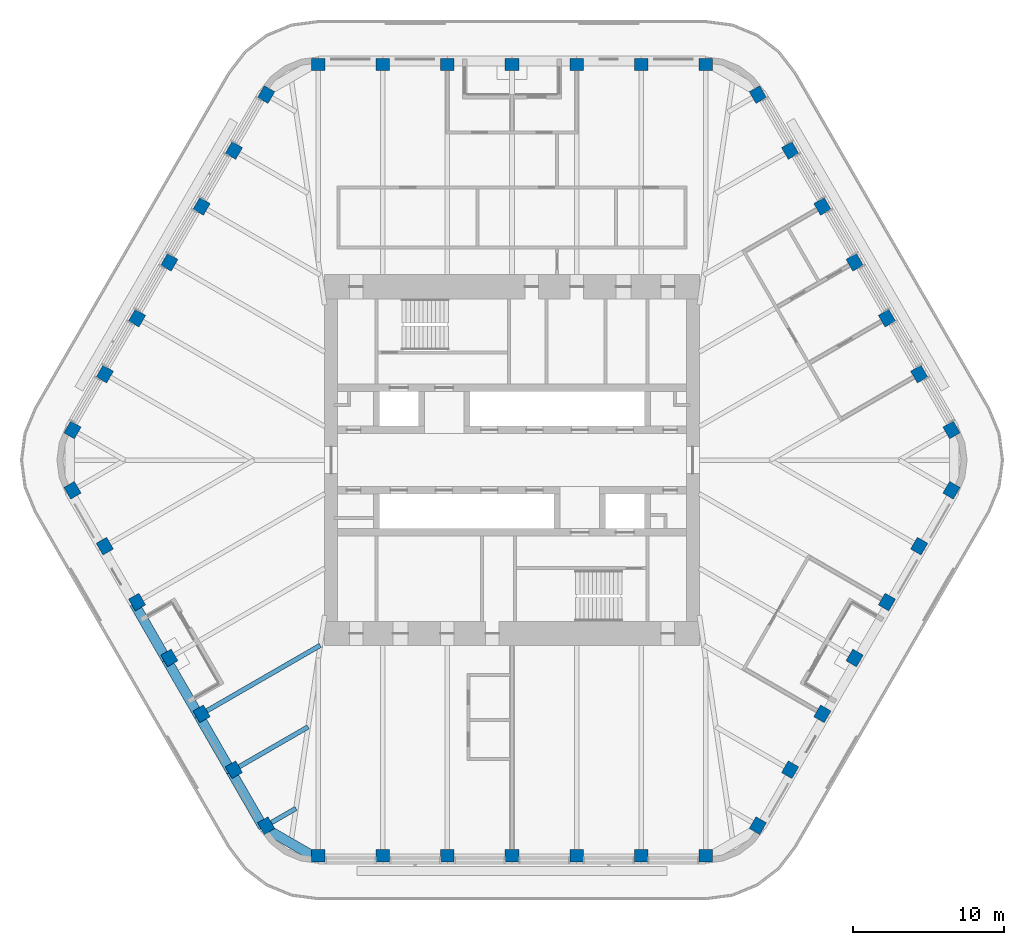
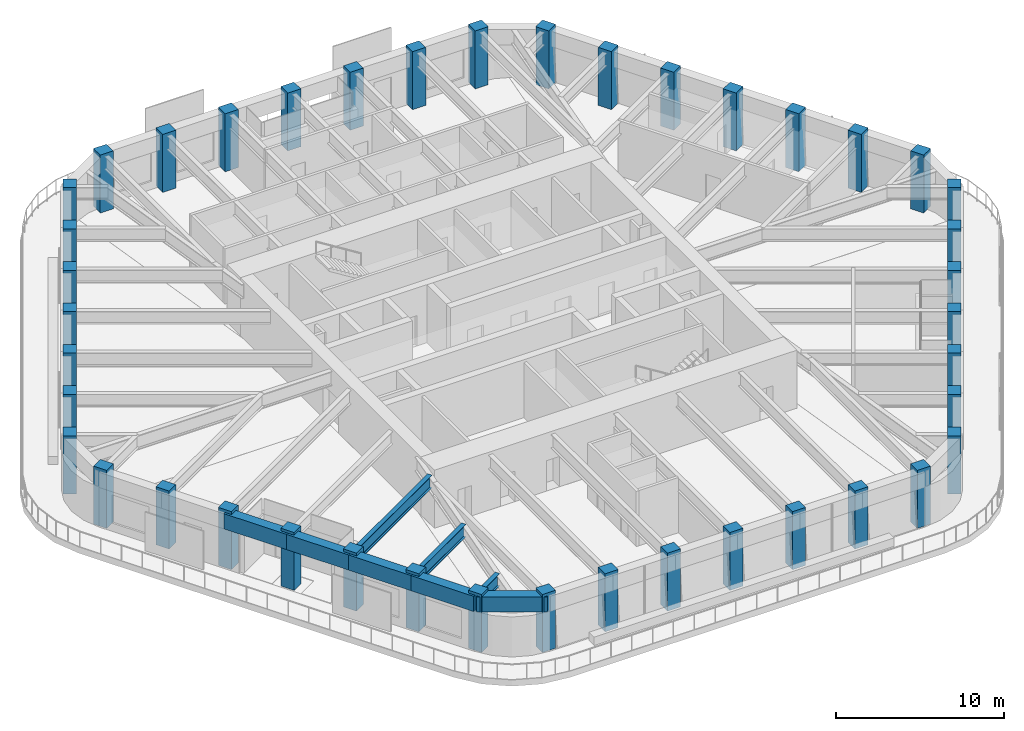
# One storey, part 1 of 19: 42 columns, 8 beams.
"""IFC4 building model written with IfcOpenShell, lengths in metres."""

from ifc_helpers import new_model, si_unit, direction, frame, origin, origin_2d, place, context, subcontext, project, spatial, rectangle, i_section, extrude, material, material_profile, profile_set, type_object, element, save


model = new_model("IFC4")

# Units and contexts
model_context = context("Model", 3, precision=1e-05, world=origin(), true_north=direction((0.0, 1.0)))
body_context = subcontext(model_context, "Body", "Model", "MODEL_VIEW")
ifc_project = project(units=[si_unit("LENGTHUNIT", "METRE"), si_unit("AREAUNIT", "SQUARE_METRE"), si_unit("VOLUMEUNIT", "CUBIC_METRE"), si_unit("PLANEANGLEUNIT", "RADIAN"), si_unit("MASSUNIT", "GRAM", prefix="KILO")], contexts=[model_context])

# Site, building, storey
site_placement = place(None, origin())
site = spatial("IfcSite", under=ifc_project, at=site_placement, CompositionType="ELEMENT")
building_placement = place(site_placement, origin())
building = spatial("IfcBuilding", under=site, at=building_placement, Name="Tarfa Lantern Tower", CompositionType="ELEMENT")
storey_placement = place(building_placement, frame((0.0, 0.0, 366.10009765625)))
storey = spatial("IfcBuildingStorey", under=building, at=storey_placement, Name="L83", CompositionType="ELEMENT", Elevation=366.10009765625)

# Columns
ifc_material_1 = material(Name="Concrete C80/95", Category="concrete")
ifc_material_profile_1 = material_profile(ifc_material_1, rectangle(XDim=0.89990234375, YDim=0.800048828125, at=origin_2d()), Name="RC 900x800")
ifc_profile_set_1 = profile_set([ifc_material_profile_1], Name="Concrete C80/95")
column_type = type_object("IfcColumnType", Name="TC15 RC 900x800", PredefinedType="COLUMN", material=ifc_profile_set_1)
for number, where, z_axis, x_axis, name in (
    (1, (29.15625, 2.0, 0.0), (0.0, 0.0, 1.0), (-0.5, 0.866025403784, 0.0), "Tube column NE0"),
    (2, (27.01513671875, 5.708251953125, 0.0), (0.0, 0.0, 1.0), (-0.5, 0.866025403784, 0.0), "Tube column NE1"),
    (3, (24.874267578125, 9.416748046875, 0.0), (0.0, 0.0, 1.0), (-0.5, 0.866025403784, 0.0), "Tube column NE2"),
    (4, (22.733154296875, 13.125, 0.0), (0.0, 0.0, 1.0), (-0.5, 0.866025403784, 0.0), "Tube column NE3"),
    (5, (20.592041015625, 16.833251953125, 0.0), (0.0, 0.0, 1.0), (-0.5, 0.866025403784, 0.0), "Tube column NE4"),
    (6, (18.451171875, 20.541748046875, 0.0), (0.0, 0.0, 1.0), (-0.5, 0.866025403784, 0.0), "Tube column NE5"),
    (7, (16.31005859375, 24.25, 0.0), (0.0, 0.0, 1.0), (-0.5, 0.866025403784, 0.0), "Tube column NE6"),
    (8, (12.845947265625, 26.25, 0.0), (0.0, 0.0, 1.0), (-1.0, 0.0, 0.0), "Tube column N0"),
    (9, (8.56396484375, 26.25, 0.0), (0.0, 0.0, 1.0), (-1.0, 0.0, 0.0), "Tube column N1"),
    (10, (4.281982421875, 26.25, 0.0), (0.0, 0.0, 1.0), (-1.0, 0.0, 0.0), "Tube column N2"),
    (11, (0.0, 26.25, 0.0), (0.0, 0.0, 1.0), (-1.0, 0.0, 0.0), "Tube column N3"),
    (12, (-4.281982421875, 26.25, 0.0), (0.0, 0.0, 1.0), (-1.0, 0.0, 0.0), "Tube column N4"),
    (13, (-8.56396484375, 26.25, 0.0), (0.0, 0.0, 1.0), (-1.0, 0.0, 0.0), "Tube column N5"),
    (14, (-12.845947265625, 26.25, 0.0), (0.0, 0.0, 1.0), (-1.0, 0.0, 0.0), "Tube column N6"),
    (15, (-16.31005859375, 24.25, 0.0), (0.0, 0.0, 1.0), (-0.5, -0.866025403784, 0.0), "Tube column NW0"),
    (16, (-18.451171875, 20.541748046875, 0.0), (0.0, 0.0, 1.0), (-0.5, -0.866025403784, 0.0), "Tube column NW1"),
    (17, (-20.592041015625, 16.833251953125, 0.0), (0.0, 0.0, 1.0), (-0.5, -0.866025403784, 0.0), "Tube column NW2"),
    (18, (-22.733154296875, 13.125, 0.0), (0.0, 0.0, 1.0), (-0.5, -0.866025403784, 0.0), "Tube column NW3"),
    (19, (-24.874267578125, 9.416748046875, 0.0), (0.0, 0.0, 1.0), (-0.5, -0.866025403784, 0.0), "Tube column NW4"),
    (20, (-27.01513671875, 5.708251953125, 0.0), (0.0, 0.0, 1.0), (-0.5, -0.866025403784, 0.0), "Tube column NW5"),
    (21, (-29.15625, 2.0, 0.0), (0.0, 0.0, 1.0), (-0.5, -0.866025403784, 0.0), "Tube column NW6"),
    (22, (-29.15625, -2.0, 0.0), (0.0, 0.0, 1.0), (0.5, -0.866025403784, 0.0), "Tube column SW0"),
    (23, (-27.01513671875, -5.708251953125, 0.0), (0.0, 0.0, 1.0), (0.5, -0.866025403784, 0.0), "Tube column SW1"),
    (24, (-24.874267578125, -9.416748046875, 0.0), (0.0, 0.0, 1.0), (0.5, -0.866025403784, 0.0), "Tube column SW2"),
    (25, (-22.733154296875, -13.125, 0.0), (0.0, 0.0, 1.0), (0.5, -0.866025403784, 0.0), "Tube column SW3"),
    (26, (-20.592041015625, -16.833251953125, 0.0), (0.0, 0.0, 1.0), (0.5, -0.866025403784, 0.0), "Tube column SW4"),
    (27, (-18.451171875, -20.541748046875, 0.0), (0.0, 0.0, 1.0), (0.5, -0.866025403784, 0.0), "Tube column SW5"),
    (28, (-16.31005859375, -24.25, 0.0), (0.0, 0.0, 1.0), (0.5, -0.866025403784, 0.0), "Tube column SW6"),
    (29, (-12.845947265625, -26.25, 0.0), (0.0, 0.0, 1.0), (1.0, 0.0, 0.0), "Tube column S0"),
    (30, (-8.56396484375, -26.25, 0.0), (0.0, 0.0, 1.0), (1.0, 0.0, 0.0), "Tube column S1"),
    (31, (-4.281982421875, -26.25, 0.0), (0.0, 0.0, 1.0), (1.0, 0.0, 0.0), "Tube column S2"),
    (32, (0.0, -26.25, 0.0), (0.0, 0.0, 1.0), (1.0, 0.0, 0.0), "Tube column S3"),
    (33, (4.281982421875, -26.25, 0.0), (0.0, 0.0, 1.0), (1.0, 0.0, 0.0), "Tube column S4"),
    (34, (8.56396484375, -26.25, 0.0), (0.0, 0.0, 1.0), (1.0, 0.0, 0.0), "Tube column S5"),
    (35, (12.845947265625, -26.25, 0.0), (0.0, 0.0, 1.0), (1.0, 0.0, 0.0), "Tube column S6"),
    (36, (16.31005859375, -24.25, 0.0), (0.0, 0.0, 1.0), (0.5, 0.866025403784, 0.0), "Tube column SE0"),
    (37, (18.451171875, -20.541748046875, 0.0), (0.0, 0.0, 1.0), (0.5, 0.866025403784, 0.0), "Tube column SE1"),
    (38, (20.592041015625, -16.833251953125, 0.0), (0.0, 0.0, 1.0), (0.5, 0.866025403784, 0.0), "Tube column SE2"),
    (39, (22.733154296875, -13.125, 0.0), (0.0, 0.0, 1.0), (0.5, 0.866025403784, 0.0), "Tube column SE3"),
    (40, (24.874267578125, -9.416748046875, 0.0), (0.0, 0.0, 1.0), (0.5, 0.866025403784, 0.0), "Tube column SE4"),
    (41, (27.01513671875, -5.708251953125, 0.0), (0.0, 0.0, 1.0), (0.5, 0.866025403784, 0.0), "Tube column SE5"),
    (42, (29.15625, -2.0, 0.0), (0.0, 0.0, 1.0), (0.5, 0.866025403784, 0.0), "Tube column SE6"),
):
    element("IfcColumn", number, at=place(storey_placement, frame(where, z_axis=z_axis, x_axis=x_axis)), inside=storey, type_object=column_type, Name=name, PredefinedType="COLUMN", context=body_context, shape_type="SweptSolid", body=[
        extrude(rectangle(XDim=0.89990234375, YDim=0.800048828125, at=origin_2d()), origin(), (0.0, 0.0, 1.0), 4.199951171875),
    ])

# Beams
ifc_material_profile_2 = material_profile(ifc_material_1, rectangle(XDim=0.64990234375, YDim=1.10009765625, at=origin_2d()), Name="RC 650x1100")
ifc_profile_set_2 = profile_set([ifc_material_profile_2], Name="Concrete C80/95")
beam_type_1 = type_object("IfcBeamType", Name="EB4 RC 650x1100", PredefinedType="SPANDREL", material=ifc_profile_set_2)
beam_1_placement = place(storey_placement, frame((-25.064697265625, -9.526611328125, 3.449951171875), z_axis=(0.500002112793, -0.866024183959, 0.0), x_axis=(0.866024183959, 0.500002112793, 0.0)))
element("IfcBeam", 43, at=beam_1_placement, inside=storey, type_object=beam_type_1, Name="Edge beam SW2", PredefinedType="SPANDREL", context=body_context, shape_type="SweptSolid", body=[
    extrude(rectangle(XDim=0.64990234375, YDim=1.10009765625, at=origin_2d()), origin(), (0.0, 0.0, 1.0), 4.2822265625),
])
for number, where, z_axis, x_axis, name in (
    (44, (-22.923583984375, -13.235107421875, 3.449951171875), (0.499984039138, -0.866034618596, 0.0), (0.866034618596, 0.499984039138, 0.0), "Edge beam SW3"),
    (45, (-20.78271484375, -16.943359375, 3.449951171875), (0.500026801138, -0.866009929587, 0.0), (0.866009929587, 0.500026801138, 0.0), "Edge beam SW4"),
    (46, (-18.6416015625, -20.651611328125, 3.449951171875), (0.499959351497, -0.866048870937, 0.0), (0.866048870937, 0.499959351497, 0.0), "Edge beam SW5"),
):
    element("IfcBeam", number, at=place(storey_placement, frame(where, z_axis=z_axis, x_axis=x_axis)), inside=storey, type_object=beam_type_1, Name=name, PredefinedType="SPANDREL", context=body_context, shape_type="SweptSolid", body=[
        extrude(rectangle(XDim=0.64990234375, YDim=1.10009765625, at=origin_2d()), origin(), (0.0, 0.0, 1.0), 4.281982421875),
    ])
beam_2_placement = place(storey_placement, frame((-16.500732421875, -24.360107421875, 3.449951171875), z_axis=(0.866048788483, -0.499959494327, 0.0), x_axis=(0.499959494327, 0.866048788483, 0.0)))
element("IfcBeam", 47, at=beam_2_placement, inside=storey, type_object=beam_type_1, Name="Edge beam SW6", PredefinedType="SPANDREL", context=body_context, shape_type="SweptSolid", body=[
    extrude(rectangle(XDim=0.64990234375, YDim=1.10009765625, at=origin_2d()), origin(), (0.0, 0.0, 1.0), 4.219970703125),
])
ifc_material_2 = material(Name="Steel S460M", Category="steel")
ifc_material_profile_3 = material_profile(ifc_material_2, i_section(OverallWidth=0.305419921875, OverallDepth=0.91845703125, WebThickness=0.017333984375, FlangeThickness=0.02783203125, FilletRadius=0.01904296875, at=origin_2d()), Name="UB914x305x253")
ifc_profile_set_3 = profile_set([ifc_material_profile_3], Name="Steel S460M")
beam_type_2 = type_object("IfcBeamType", Name="UB914x305x253", PredefinedType="BEAM", material=ifc_profile_set_3)
beam_3_placement = place(storey_placement, frame((-20.78271484375, -16.943359375, 3.540771484375), z_axis=(0.866021806508, 0.500006230613, 0.0), x_axis=(-0.500006230613, 0.866021806508, 0.0)))
element("IfcBeam", 48, at=beam_3_placement, inside=storey, type_object=beam_type_2, Name="Floor beam SW4", PredefinedType="BEAM", context=body_context, shape_type="SweptSolid", body=[
    extrude(i_section(OverallWidth=0.305419921875, OverallDepth=0.91845703125, WebThickness=0.017333984375, FlangeThickness=0.02783203125, FilletRadius=0.01904296875, at=origin_2d()), origin(), (0.0, 0.0, 1.0), 9.30908203125),
])
beam_4_placement = place(storey_placement, frame((-18.6416015625, -20.651611328125, 3.540771484375), z_axis=(0.866024549157, 0.500001480256, 0.0), x_axis=(-0.500001480256, 0.866024549157, 0.0)))
element("IfcBeam", 49, at=beam_4_placement, inside=storey, type_object=beam_type_2, Name="Floor beam SW5", PredefinedType="BEAM", context=body_context, shape_type="SweptSolid", body=[
    extrude(i_section(OverallWidth=0.305419921875, OverallDepth=0.91845703125, WebThickness=0.017333984375, FlangeThickness=0.02783203125, FilletRadius=0.01904296875, at=origin_2d()), origin(), (0.0, 0.0, 1.0), 5.90771484375),
])
beam_5_placement = place(storey_placement, frame((-16.500732421875, -24.360107421875, 3.540771484375), z_axis=(0.865992557167, 0.500056887695, 0.0), x_axis=(-0.500056887695, 0.865992557167, 0.0)))
element("IfcBeam", 50, at=beam_5_placement, inside=storey, type_object=beam_type_2, Name="Floor beam SW6", PredefinedType="BEAM", context=body_context, shape_type="SweptSolid", body=[
    extrude(i_section(OverallWidth=0.305419921875, OverallDepth=0.91845703125, WebThickness=0.017333984375, FlangeThickness=0.02783203125, FilletRadius=0.01904296875, at=origin_2d()), origin(), (0.0, 0.0, 1.0), 2.506591796875),
])

save(model, "model.ifc")
